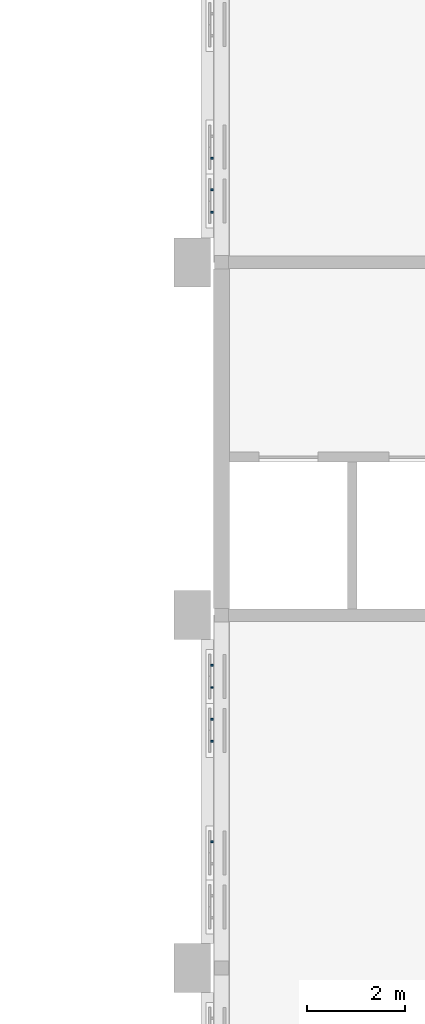
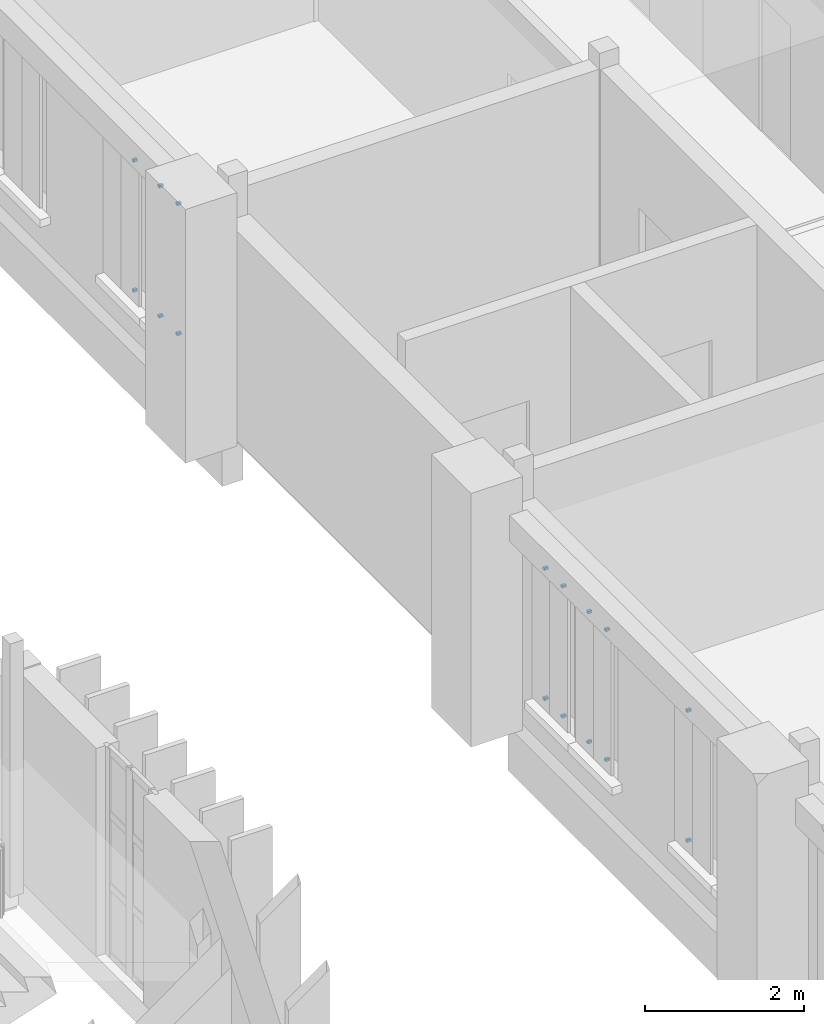
# One storey, part 52 of 69: 16 discrete accessories.
"""IFC4 building model written with IfcOpenShell, lengths in metres."""

from ifc_helpers import new_model, si_unit, direction, frame, origin, origin_2d, place, context, subcontext, project, spatial, rectangle, extrude, material, type_object, element, save


model = new_model("IFC4")

# Units and contexts
model_context = context("Model", 3, precision=1e-05, world=origin(), true_north=direction((0.0, 1.0)))
body_context = subcontext(model_context, "Body", "Model", "MODEL_VIEW")
ifc_project = project(units=[si_unit("LENGTHUNIT", "METRE"), si_unit("AREAUNIT", "SQUARE_METRE"), si_unit("VOLUMEUNIT", "CUBIC_METRE"), si_unit("PLANEANGLEUNIT", "RADIAN"), si_unit("MASSUNIT", "GRAM", prefix="KILO")], contexts=[model_context])

# Site, building, storey
site_placement = place(None, origin())
site = spatial("IfcSite", under=ifc_project, at=site_placement, CompositionType="ELEMENT")
building_placement = place(site_placement, origin())
building = spatial("IfcBuilding", under=site, at=building_placement, Name="Mazhai Court Health Centre", CompositionType="ELEMENT")
storey_placement = place(building_placement, frame((0.0, 0.0, 6.300048828125)))
storey = spatial("IfcBuildingStorey", under=building, at=storey_placement, Name="L01", CompositionType="ELEMENT", Elevation=6.300048828125)

# Discrete accessories
ifc_material = material(Name="Steel IS 2062 E250", Category="steel")
discrete_accessory_type = type_object("IfcDiscreteAccessoryType", Name="BRACKET 40", PredefinedType="BRACKET", material=ifc_material)
for number, where, z_axis, x_axis, name in (
    (1, (135.60498046875, 23.175048828125, 0.780029296875), (0.0, 0.0, 1.0), (0.0, 1.0, 0.0), "BR-V6-L01-A20bb0"),
    (2, (135.60498046875, 23.175048828125, 2.780029296875), (0.0, 0.0, 1.0), (0.0, 1.0, 0.0), "BR-V6-L01-A20bb1"),
    (3, (135.60498046875, 25.22509765625, 0.780029296875), (0.0, 0.0, 1.0), (0.0, 1.0, 0.0), "BR-V6-L01-A21aa0"),
    (4, (135.60498046875, 25.22509765625, 2.780029296875), (0.0, 0.0, 1.0), (0.0, 1.0, 0.0), "BR-V6-L01-A21aa1"),
    (5, (135.60498046875, 25.675048828125, 0.780029296875), (0.0, 0.0, 1.0), (0.0, 1.0, 0.0), "BR-V6-L01-A21ab0"),
    (6, (135.60498046875, 25.675048828125, 2.780029296875), (0.0, 0.0, 1.0), (0.0, 1.0, 0.0), "BR-V6-L01-A21ab1"),
    (7, (135.60498046875, 26.324951171875, 0.780029296875), (0.0, 0.0, 1.0), (0.0, 1.0, 0.0), "BR-V6-L01-A21ba0"),
    (8, (135.60498046875, 26.324951171875, 2.780029296875), (0.0, 0.0, 1.0), (0.0, 1.0, 0.0), "BR-V6-L01-A21ba1"),
    (9, (135.60498046875, 26.77490234375, 0.780029296875), (0.0, 0.0, 1.0), (0.0, 1.0, 0.0), "BR-V6-L01-A21bb0"),
    (10, (135.60498046875, 26.77490234375, 2.780029296875), (0.0, 0.0, 1.0), (0.0, 1.0, 0.0), "BR-V6-L01-A21bb1"),
    (11, (135.60498046875, 36.02490234375, 0.780029296875), (0.0, 0.0, 1.0), (0.0, 1.0, 0.0), "BR-V6-L01-A40aa0"),
    (12, (135.60498046875, 36.02490234375, 2.780029296875), (0.0, 0.0, 1.0), (0.0, 1.0, 0.0), "BR-V6-L01-A40aa1"),
    (13, (135.60498046875, 36.47509765625, 0.780029296875), (0.0, 0.0, 1.0), (0.0, 1.0, 0.0), "BR-V6-L01-A40ab0"),
    (14, (135.60498046875, 36.47509765625, 2.780029296875), (0.0, 0.0, 1.0), (0.0, 1.0, 0.0), "BR-V6-L01-A40ab1"),
    (15, (135.60498046875, 37.125, 0.780029296875), (0.0, 0.0, 1.0), (0.0, 1.0, 0.0), "BR-V6-L01-A40ba0"),
    (16, (135.60498046875, 37.125, 2.780029296875), (0.0, 0.0, 1.0), (0.0, 1.0, 0.0), "BR-V6-L01-A40ba1"),
):
    element("IfcDiscreteAccessory", number, at=place(storey_placement, frame(where, z_axis=z_axis, x_axis=x_axis)), inside=storey, type_object=discrete_accessory_type, Name=name, PredefinedType="BRACKET", context=body_context, shape_type="SweptSolid", body=[
        extrude(rectangle(XDim=0.0400390625, YDim=0.06005859375, at=origin_2d()), origin(), (0.0, 0.0, 1.0), 0.0400390625),
    ])

save(model, "model.ifc")
